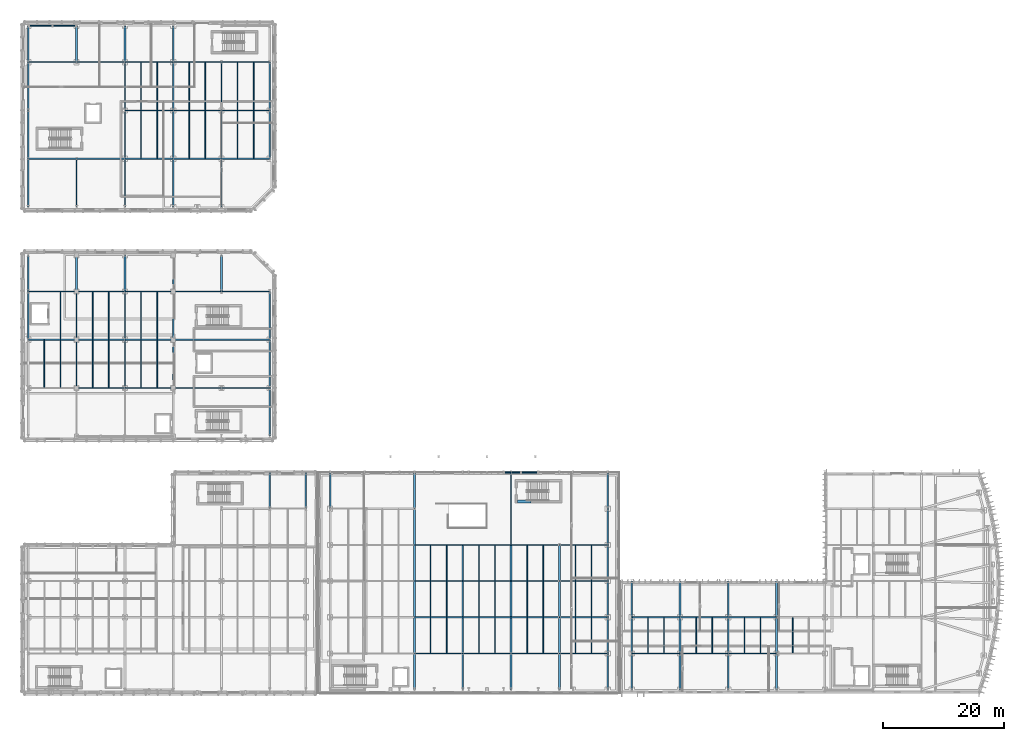
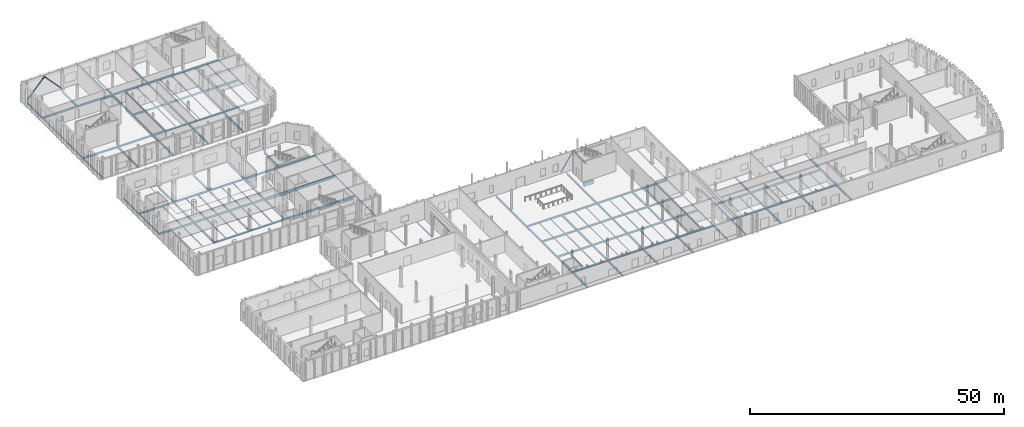
# One storey, part 13 of 60: 177 beams, 4 members.
"""IFC4 building model written with IfcOpenShell, lengths in metres."""

from ifc_helpers import new_model, si_unit, direction, frame, origin, origin_2d, place, context, subcontext, project, spatial, rectangle, hollow_circle, i_section, extrude, material, material_profile, profile_set, type_object, element, save


model = new_model("IFC4")

# Units and contexts
model_context = context("Model", 3, precision=1e-05, world=origin(), true_north=direction((0.0, 1.0)))
body_context = subcontext(model_context, "Body", "Model", "MODEL_VIEW")
ifc_project = project(units=[si_unit("LENGTHUNIT", "METRE"), si_unit("AREAUNIT", "SQUARE_METRE"), si_unit("VOLUMEUNIT", "CUBIC_METRE"), si_unit("PLANEANGLEUNIT", "RADIAN"), si_unit("MASSUNIT", "GRAM", prefix="KILO")], contexts=[model_context])

# Site, building, storey
site_placement = place(None, origin())
site = spatial("IfcSite", under=ifc_project, at=site_placement, CompositionType="ELEMENT")
building_placement = place(site_placement, origin())
building = spatial("IfcBuilding", under=site, at=building_placement, Name="Cymarion Research Institute", CompositionType="ELEMENT")
storey_placement = place(building_placement, origin())
storey = spatial("IfcBuildingStorey", under=building, at=storey_placement, Name="L00", CompositionType="ELEMENT", Elevation=0.0)

# Beams
ifc_material_1 = material(Name="Concrete C40/50", Category="concrete")
ifc_material_profile_1 = material_profile(ifc_material_1, rectangle(XDim=0.5, YDim=0.800048828125, at=origin_2d()), Name="RC 500x800")
ifc_profile_set_1 = profile_set([ifc_material_profile_1], Name="Concrete C40/50")
beam_type_1 = type_object("IfcBeamType", Name="COUPLING LINTEL LN03 RC 500x800", PredefinedType="LINTEL", material=ifc_profile_set_1)
beam_1_placement = place(storey_placement, frame((87.699951171875, 36.64990234375, -0.719970703125), z_axis=(1.0, 0.0, 0.0), x_axis=(0.0, 1.0, 0.0)))
element("IfcBeam", 1, at=beam_1_placement, inside=storey, type_object=beam_type_1, Name="L00 C4 core coupling lintel LN03", PredefinedType="LINTEL", context=body_context, shape_type="SweptSolid", body=[
    extrude(rectangle(XDim=0.5, YDim=0.800048828125, at=origin_2d()), origin(), (0.0, 0.0, 1.0), 2.199951171875),
])
ifc_material_2 = material(Name="Steel S355", Category="steel")
ifc_material_profile_2 = material_profile(ifc_material_2, i_section(OverallWidth=0.199951171875, OverallDepth=0.5, WebThickness=0.01025390625, FlangeThickness=0.01611328125, FilletRadius=0.02099609375, at=origin_2d()), Name="IPE 500")
ifc_profile_set_2 = profile_set([ifc_material_profile_2], Name="Steel S355")
beam_type_2 = type_object("IfcBeamType", Name="PRIMARY GIRDER BM03 IPE 500", PredefinedType="BEAM", material=ifc_profile_set_2)
beam_2_placement = place(storey_placement, frame((86.60009765625, 29.506103515625, -0.550048828125), z_axis=(0.0, 1.0, 0.0), x_axis=(-1.0, 0.0, 0.0)))
element("IfcBeam", 2, at=beam_2_placement, inside=storey, type_object=beam_type_2, Name="L00 V2 girder BM03 #126", PredefinedType="BEAM", context=body_context, shape_type="SweptSolid", body=[
    extrude(i_section(OverallWidth=0.199951171875, OverallDepth=0.5, WebThickness=0.01025390625, FlangeThickness=0.01611328125, FilletRadius=0.02099609375, at=origin_2d()), origin(), (0.0, 0.0, 1.0), 11.98779296875),
])
for number, where, z_axis, x_axis, name in (
    (3, (14.60009765625, 55.506103515625, -0.550048828125), (0.0, 1.0, 0.0), (-1.0, 0.0, 0.0), "L00 V4 girder BM03 #277"),
    (4, (14.60009765625, 63.506103515625, -0.550048828125), (0.0, 1.0, 0.0), (-1.0, 0.0, 0.0), "L00 V4 girder BM03 #278"),
    (5, (22.60009765625, 55.506103515625, -0.550048828125), (0.0, 1.0, 0.0), (-1.0, 0.0, 0.0), "L00 V4 girder BM03 #281"),
    (6, (22.60009765625, 63.506103515625, -0.550048828125), (0.0, 1.0, 0.0), (-1.0, 0.0, 0.0), "L00 V4 girder BM03 #282"),
    (7, (30.60009765625, 55.506103515625, -0.550048828125), (0.0, 1.0, 0.0), (-1.0, 0.0, 0.0), "L00 V4 girder BM03 #285"),
    (8, (30.60009765625, 63.506103515625, -0.550048828125), (0.0, 1.0, 0.0), (-1.0, 0.0, 0.0), "L00 V4 girder BM03 #286"),
    (9, (14.60009765625, 85.506103515625, -0.550048828125), (0.0, 1.0, 0.0), (-1.0, 0.0, 0.0), "L00 V5 girder BM03 #320"),
    (10, (22.60009765625, 85.506103515625, -0.550048828125), (0.0, 1.0, 0.0), (-1.0, 0.0, 0.0), "L00 V5 girder BM03 #322"),
    (11, (22.60009765625, 93.506103515625, -0.550048828125), (0.0, 1.0, 0.0), (-1.0, 0.0, 0.0), "L00 V5 girder BM03 #323"),
    (12, (22.60009765625, 101.506103515625, -0.550048828125), (0.0, 1.0, 0.0), (-1.0, 0.0, 0.0), "L00 V5 girder BM03 #324"),
    (13, (30.60009765625, 85.506103515625, -0.550048828125), (0.0, 1.0, 0.0), (-1.0, 0.0, 0.0), "L00 V5 girder BM03 #326"),
    (14, (30.60009765625, 93.506103515625, -0.550048828125), (0.0, 1.0, 0.0), (-1.0, 0.0, 0.0), "L00 V5 girder BM03 #327"),
    (15, (30.60009765625, 101.506103515625, -0.550048828125), (0.0, 1.0, 0.0), (-1.0, 0.0, 0.0), "L00 V5 girder BM03 #328"),
    (16, (38.60009765625, 85.506103515625, -0.550048828125), (0.0, 1.0, 0.0), (-1.0, 0.0, 0.0), "L00 V5 girder BM03 #330"),
    (17, (38.60009765625, 93.506103515625, -0.550048828125), (0.0, 1.0, 0.0), (-1.0, 0.0, 0.0), "L00 V5 girder BM03 #331"),
    (18, (38.60009765625, 101.506103515625, -0.550048828125), (0.0, 1.0, 0.0), (-1.0, 0.0, 0.0), "L00 V5 girder BM03 #332"),
):
    element("IfcBeam", number, at=place(storey_placement, frame(where, z_axis=z_axis, x_axis=x_axis)), inside=storey, type_object=beam_type_2, Name=name, PredefinedType="BEAM", context=body_context, shape_type="SweptSolid", body=[
        extrude(i_section(OverallWidth=0.199951171875, OverallDepth=0.5, WebThickness=0.01025390625, FlangeThickness=0.01611328125, FilletRadius=0.02099609375, at=origin_2d()), origin(), (0.0, 0.0, 1.0), 7.98779296875),
    ])
ifc_material_profile_3 = material_profile(ifc_material_2, i_section(OverallWidth=0.18994140625, OverallDepth=0.449951171875, WebThickness=0.009521484375, FlangeThickness=0.0146484375, FilletRadius=0.02099609375, at=origin_2d()), Name="IPE 450")
ifc_profile_set_3 = profile_set([ifc_material_profile_3], Name="Steel S355")
beam_type_3 = type_object("IfcBeamType", Name="PRIMARY GIRDER BM04 IPE 450", PredefinedType="BEAM", material=ifc_profile_set_3)
for number, where, z_axis, x_axis, name in (
    (19, (106.60595703125, 11.5, -0.52490234375), (1.0, 0.0, 0.0), (0.0, 1.0, 0.0), "L00 V1 girder BM04 #1"),
    (20, (114.60595703125, 11.5, -0.52490234375), (1.0, 0.0, 0.0), (0.0, 1.0, 0.0), "L00 V1 girder BM04 #2"),
    (21, (122.60595703125, 11.5, -0.52490234375), (1.0, 0.0, 0.0), (0.0, 1.0, 0.0), "L00 V1 girder BM04 #3"),
    (22, (106.60595703125, 17.5, -0.52490234375), (1.0, 0.0, 0.0), (0.0, 1.0, 0.0), "L00 V1 girder BM04 #5"),
    (23, (114.60595703125, 17.5, -0.52490234375), (1.0, 0.0, 0.0), (0.0, 1.0, 0.0), "L00 V1 girder BM04 #6"),
    (24, (122.60595703125, 17.5, -0.52490234375), (1.0, 0.0, 0.0), (0.0, 1.0, 0.0), "L00 V1 girder BM04 #7"),
    (25, (70.60595703125, 11.5, -0.52490234375), (1.0, 0.0, 0.0), (0.0, 1.0, 0.0), "L00 V2 girder BM04 #78"),
    (26, (78.60595703125, 11.5, -0.52490234375), (1.0, 0.0, 0.0), (0.0, 1.0, 0.0), "L00 V2 girder BM04 #79"),
    (27, (86.60595703125, 11.5, -0.52490234375), (1.0, 0.0, 0.0), (0.0, 1.0, 0.0), "L00 V2 girder BM04 #80"),
    (28, (94.60595703125, 11.5, -0.52490234375), (1.0, 0.0, 0.0), (0.0, 1.0, 0.0), "L00 V2 girder BM04 #81"),
    (29, (70.60595703125, 17.5, -0.52490234375), (1.0, 0.0, 0.0), (0.0, 1.0, 0.0), "L00 V2 girder BM04 #84"),
    (30, (78.60595703125, 17.5, -0.52490234375), (1.0, 0.0, 0.0), (0.0, 1.0, 0.0), "L00 V2 girder BM04 #85"),
    (31, (86.60595703125, 17.5, -0.52490234375), (1.0, 0.0, 0.0), (0.0, 1.0, 0.0), "L00 V2 girder BM04 #86"),
    (32, (94.60595703125, 17.5, -0.52490234375), (1.0, 0.0, 0.0), (0.0, 1.0, 0.0), "L00 V2 girder BM04 #87"),
    (33, (70.60595703125, 23.5, -0.52490234375), (1.0, 0.0, 0.0), (0.0, 1.0, 0.0), "L00 V2 girder BM04 #90"),
    (34, (78.60595703125, 23.5, -0.52490234375), (1.0, 0.0, 0.0), (0.0, 1.0, 0.0), "L00 V2 girder BM04 #91"),
    (35, (86.60595703125, 23.5, -0.52490234375), (1.0, 0.0, 0.0), (0.0, 1.0, 0.0), "L00 V2 girder BM04 #92"),
    (36, (94.60595703125, 23.5, -0.52490234375), (1.0, 0.0, 0.0), (0.0, 1.0, 0.0), "L00 V2 girder BM04 #93"),
    (37, (70.60595703125, 29.5, -0.52490234375), (1.0, 0.0, 0.0), (0.0, 1.0, 0.0), "L00 V2 girder BM04 #96"),
    (38, (78.60595703125, 29.5, -0.52490234375), (1.0, 0.0, 0.0), (0.0, 1.0, 0.0), "L00 V2 girder BM04 #97"),
    (39, (86.60595703125, 29.5, -0.52490234375), (1.0, 0.0, 0.0), (0.0, 1.0, 0.0), "L00 V2 girder BM04 #98"),
    (40, (94.60595703125, 29.5, -0.52490234375), (1.0, 0.0, 0.0), (0.0, 1.0, 0.0), "L00 V2 girder BM04 #99"),
    (41, (14.60595703125, 55.5, -0.52490234375), (1.0, 0.0, 0.0), (0.0, 1.0, 0.0), "L00 V4 girder BM04 #259"),
    (42, (22.60595703125, 55.5, -0.52490234375), (1.0, 0.0, 0.0), (0.0, 1.0, 0.0), "L00 V4 girder BM04 #260"),
    (43, (30.60595703125, 55.5, -0.52490234375), (1.0, 0.0, 0.0), (0.0, 1.0, 0.0), "L00 V4 girder BM04 #261"),
    (44, (38.60595703125, 55.5, -0.52490234375), (1.0, 0.0, 0.0), (0.0, 1.0, 0.0), "L00 V4 girder BM04 #262"),
    (45, (6.60595703125, 63.5, -0.52490234375), (1.0, 0.0, 0.0), (0.0, 1.0, 0.0), "L00 V4 girder BM04 #263"),
    (46, (14.60595703125, 63.5, -0.52490234375), (1.0, 0.0, 0.0), (0.0, 1.0, 0.0), "L00 V4 girder BM04 #264"),
    (47, (22.60595703125, 63.5, -0.52490234375), (1.0, 0.0, 0.0), (0.0, 1.0, 0.0), "L00 V4 girder BM04 #265"),
    (48, (6.60595703125, 71.5, -0.52490234375), (1.0, 0.0, 0.0), (0.0, 1.0, 0.0), "L00 V4 girder BM04 #267"),
    (49, (14.60595703125, 71.5, -0.52490234375), (1.0, 0.0, 0.0), (0.0, 1.0, 0.0), "L00 V4 girder BM04 #268"),
    (50, (22.60595703125, 71.5, -0.52490234375), (1.0, 0.0, 0.0), (0.0, 1.0, 0.0), "L00 V4 girder BM04 #269"),
    (51, (30.60595703125, 71.5, -0.52490234375), (1.0, 0.0, 0.0), (0.0, 1.0, 0.0), "L00 V4 girder BM04 #270"),
    (52, (38.60595703125, 71.5, -0.52490234375), (1.0, 0.0, 0.0), (0.0, 1.0, 0.0), "L00 V4 girder BM04 #271"),
    (53, (6.60595703125, 93.5, -0.52490234375), (1.0, 0.0, 0.0), (0.0, 1.0, 0.0), "L00 V5 girder BM04 #303"),
    (54, (14.60595703125, 93.5, -0.52490234375), (1.0, 0.0, 0.0), (0.0, 1.0, 0.0), "L00 V5 girder BM04 #304"),
    (55, (22.60595703125, 93.5, -0.52490234375), (1.0, 0.0, 0.0), (0.0, 1.0, 0.0), "L00 V5 girder BM04 #305"),
    (56, (30.60595703125, 93.5, -0.52490234375), (1.0, 0.0, 0.0), (0.0, 1.0, 0.0), "L00 V5 girder BM04 #306"),
    (57, (38.60595703125, 93.5, -0.52490234375), (1.0, 0.0, 0.0), (0.0, 1.0, 0.0), "L00 V5 girder BM04 #307"),
    (58, (22.60595703125, 101.5, -0.52490234375), (1.0, 0.0, 0.0), (0.0, 1.0, 0.0), "L00 V5 girder BM04 #308"),
    (59, (30.60595703125, 101.5, -0.52490234375), (1.0, 0.0, 0.0), (0.0, 1.0, 0.0), "L00 V5 girder BM04 #309"),
    (60, (38.60595703125, 101.5, -0.52490234375), (1.0, 0.0, 0.0), (0.0, 1.0, 0.0), "L00 V5 girder BM04 #310"),
    (61, (6.60595703125, 109.5, -0.52490234375), (1.0, 0.0, 0.0), (0.0, 1.0, 0.0), "L00 V5 girder BM04 #311"),
    (62, (14.60595703125, 109.5, -0.52490234375), (1.0, 0.0, 0.0), (0.0, 1.0, 0.0), "L00 V5 girder BM04 #312"),
    (63, (22.60595703125, 109.5, -0.52490234375), (1.0, 0.0, 0.0), (0.0, 1.0, 0.0), "L00 V5 girder BM04 #313"),
    (64, (30.60595703125, 109.5, -0.52490234375), (1.0, 0.0, 0.0), (0.0, 1.0, 0.0), "L00 V5 girder BM04 #314"),
    (65, (38.60595703125, 109.5, -0.52490234375), (1.0, 0.0, 0.0), (0.0, 1.0, 0.0), "L00 V5 girder BM04 #315"),
):
    element("IfcBeam", number, at=place(storey_placement, frame(where, z_axis=z_axis, x_axis=x_axis)), inside=storey, type_object=beam_type_3, Name=name, PredefinedType="BEAM", context=body_context, shape_type="SweptSolid", body=[
        extrude(i_section(OverallWidth=0.18994140625, OverallDepth=0.449951171875, WebThickness=0.009521484375, FlangeThickness=0.0146484375, FilletRadius=0.02099609375, at=origin_2d()), origin(), (0.0, 0.0, 1.0), 7.988037109375),
    ])
ifc_material_profile_4 = material_profile(ifc_material_2, i_section(OverallWidth=0.300048828125, OverallDepth=0.64990234375, WebThickness=0.01611328125, FlangeThickness=0.031005859375, FilletRadius=0.027099609375, at=origin_2d()), Name="HEB 650")
ifc_profile_set_4 = profile_set([ifc_material_profile_4], Name="Steel S355")
beam_type_4 = type_object("IfcBeamType", Name="PRIMARY GIRDER BM07 HEB 650", PredefinedType="BEAM", material=ifc_profile_set_4)
beam_3_placement = place(storey_placement, frame((30.60595703125, 63.5, -0.625), z_axis=(1.0, 0.0, 0.0), x_axis=(0.0, 1.0, 0.0)))
element("IfcBeam", 66, at=beam_3_placement, inside=storey, type_object=beam_type_4, Name="L00 V4 girder BM07 #266", PredefinedType="BEAM", context=body_context, shape_type="SweptSolid", body=[
    extrude(i_section(OverallWidth=0.300048828125, OverallDepth=0.64990234375, WebThickness=0.01611328125, FlangeThickness=0.031005859375, FilletRadius=0.027099609375, at=origin_2d()), origin(), (0.0, 0.0, 1.0), 15.988037109375),
])
ifc_material_profile_5 = material_profile(ifc_material_2, i_section(OverallWidth=0.300048828125, OverallDepth=0.35009765625, WebThickness=0.010009765625, FlangeThickness=0.017578125, FilletRadius=0.027099609375, at=origin_2d()), Name="HEA 360")
ifc_profile_set_5 = profile_set([ifc_material_profile_5], Name="Steel S355")
beam_type_5 = type_object("IfcBeamType", Name="PRIMARY GIRDER BM12 HEA 360", PredefinedType="BEAM", material=ifc_profile_set_5)
for number, where, z_axis, x_axis, name in (
    (67, (114.60009765625, 5.506103515625, -0.47509765625), (0.0, 1.0, 0.0), (-1.0, 0.0, 0.0), "L00 V1 girder BM12 #20"),
    (68, (114.60009765625, 11.506103515625, -0.47509765625), (0.0, 1.0, 0.0), (-1.0, 0.0, 0.0), "L00 V1 girder BM12 #21"),
    (69, (114.60009765625, 17.506103515625, -0.47509765625), (0.0, 1.0, 0.0), (-1.0, 0.0, 0.0), "L00 V1 girder BM12 #22"),
    (70, (122.60009765625, 5.506103515625, -0.47509765625), (0.0, 1.0, 0.0), (-1.0, 0.0, 0.0), "L00 V1 girder BM12 #23"),
    (71, (122.60009765625, 11.506103515625, -0.47509765625), (0.0, 1.0, 0.0), (-1.0, 0.0, 0.0), "L00 V1 girder BM12 #24"),
    (72, (122.60009765625, 17.506103515625, -0.47509765625), (0.0, 1.0, 0.0), (-1.0, 0.0, 0.0), "L00 V1 girder BM12 #25"),
    (73, (130.60009765625, 5.506103515625, -0.47509765625), (0.0, 1.0, 0.0), (-1.0, 0.0, 0.0), "L00 V1 girder BM12 #26"),
    (74, (130.60009765625, 11.506103515625, -0.47509765625), (0.0, 1.0, 0.0), (-1.0, 0.0, 0.0), "L00 V1 girder BM12 #27"),
    (75, (130.60009765625, 17.506103515625, -0.47509765625), (0.0, 1.0, 0.0), (-1.0, 0.0, 0.0), "L00 V1 girder BM12 #28"),
    (76, (70.60009765625, 5.506103515625, -0.47509765625), (0.0, 1.0, 0.0), (-1.0, 0.0, 0.0), "L00 V2 girder BM12 #112"),
    (77, (70.60009765625, 11.506103515625, -0.47509765625), (0.0, 1.0, 0.0), (-1.0, 0.0, 0.0), "L00 V2 girder BM12 #113"),
    (78, (70.60009765625, 17.506103515625, -0.47509765625), (0.0, 1.0, 0.0), (-1.0, 0.0, 0.0), "L00 V2 girder BM12 #114"),
    (79, (70.60009765625, 23.506103515625, -0.47509765625), (0.0, 1.0, 0.0), (-1.0, 0.0, 0.0), "L00 V2 girder BM12 #115"),
    (80, (70.60009765625, 29.506103515625, -0.47509765625), (0.0, 1.0, 0.0), (-1.0, 0.0, 0.0), "L00 V2 girder BM12 #116"),
    (81, (70.60009765625, 35.506103515625, -0.47509765625), (0.0, 1.0, 0.0), (-1.0, 0.0, 0.0), "L00 V2 girder BM12 #117"),
    (82, (78.60009765625, 5.506103515625, -0.47509765625), (0.0, 1.0, 0.0), (-1.0, 0.0, 0.0), "L00 V2 girder BM12 #118"),
    (83, (78.60009765625, 11.506103515625, -0.47509765625), (0.0, 1.0, 0.0), (-1.0, 0.0, 0.0), "L00 V2 girder BM12 #119"),
    (84, (78.60009765625, 17.506103515625, -0.47509765625), (0.0, 1.0, 0.0), (-1.0, 0.0, 0.0), "L00 V2 girder BM12 #120"),
    (85, (78.60009765625, 23.506103515625, -0.47509765625), (0.0, 1.0, 0.0), (-1.0, 0.0, 0.0), "L00 V2 girder BM12 #121"),
    (86, (86.60009765625, 5.506103515625, -0.47509765625), (0.0, 1.0, 0.0), (-1.0, 0.0, 0.0), "L00 V2 girder BM12 #122"),
    (87, (86.60009765625, 11.506103515625, -0.47509765625), (0.0, 1.0, 0.0), (-1.0, 0.0, 0.0), "L00 V2 girder BM12 #123"),
    (88, (86.60009765625, 17.506103515625, -0.47509765625), (0.0, 1.0, 0.0), (-1.0, 0.0, 0.0), "L00 V2 girder BM12 #124"),
    (89, (86.60009765625, 23.506103515625, -0.47509765625), (0.0, 1.0, 0.0), (-1.0, 0.0, 0.0), "L00 V2 girder BM12 #125"),
    (90, (94.60009765625, 5.506103515625, -0.47509765625), (0.0, 1.0, 0.0), (-1.0, 0.0, 0.0), "L00 V2 girder BM12 #127"),
    (91, (94.60009765625, 11.506103515625, -0.47509765625), (0.0, 1.0, 0.0), (-1.0, 0.0, 0.0), "L00 V2 girder BM12 #128"),
    (92, (94.60009765625, 17.506103515625, -0.47509765625), (0.0, 1.0, 0.0), (-1.0, 0.0, 0.0), "L00 V2 girder BM12 #129"),
    (93, (94.60009765625, 23.506103515625, -0.47509765625), (0.0, 1.0, 0.0), (-1.0, 0.0, 0.0), "L00 V2 girder BM12 #130"),
    (94, (14.60009765625, 71.506103515625, -0.47509765625), (0.0, 1.0, 0.0), (-1.0, 0.0, 0.0), "L00 V4 girder BM12 #279"),
    (95, (22.60009765625, 71.506103515625, -0.47509765625), (0.0, 1.0, 0.0), (-1.0, 0.0, 0.0), "L00 V4 girder BM12 #283"),
    (96, (30.60009765625, 71.506103515625, -0.47509765625), (0.0, 1.0, 0.0), (-1.0, 0.0, 0.0), "L00 V4 girder BM12 #287"),
    (97, (38.60009765625, 71.506103515625, -0.47509765625), (0.0, 1.0, 0.0), (-1.0, 0.0, 0.0), "L00 V4 girder BM12 #288"),
    (98, (14.60009765625, 109.506103515625, -0.47509765625), (0.0, 1.0, 0.0), (-1.0, 0.0, 0.0), "L00 V5 girder BM12 #321"),
    (99, (22.60009765625, 109.506103515625, -0.47509765625), (0.0, 1.0, 0.0), (-1.0, 0.0, 0.0), "L00 V5 girder BM12 #325"),
    (100, (30.60009765625, 109.506103515625, -0.47509765625), (0.0, 1.0, 0.0), (-1.0, 0.0, 0.0), "L00 V5 girder BM12 #329"),
):
    element("IfcBeam", number, at=place(storey_placement, frame(where, z_axis=z_axis, x_axis=x_axis)), inside=storey, type_object=beam_type_5, Name=name, PredefinedType="BEAM", context=body_context, shape_type="SweptSolid", body=[
        extrude(i_section(OverallWidth=0.300048828125, OverallDepth=0.35009765625, WebThickness=0.010009765625, FlangeThickness=0.017578125, FilletRadius=0.027099609375, at=origin_2d()), origin(), (0.0, 0.0, 1.0), 5.98779296875),
    ])
ifc_material_profile_6 = material_profile(ifc_material_2, i_section(OverallWidth=0.14990234375, OverallDepth=0.300048828125, WebThickness=0.007080078125, FlangeThickness=0.0107421875, FilletRadius=0.014892578125, at=origin_2d()), Name="IPE 300")
ifc_profile_set_6 = profile_set([ifc_material_profile_6], Name="Steel S355")
beam_type_6 = type_object("IfcBeamType", Name="SECONDARY JOIST JS02 IPE 300", PredefinedType="JOIST", material=ifc_profile_set_6)
for number, where, z_axis, x_axis, name in (
    (101, (9.2666015625, 55.59912109375, -0.449951171875), (0.0, 1.0, 0.0), (-1.0, 0.0, 0.0), "L00 V4 secondary joist JS02 #292"),
    (102, (11.933349609375, 55.59912109375, -0.449951171875), (0.0, 1.0, 0.0), (-1.0, 0.0, 0.0), "L00 V4 secondary joist JS02 #293"),
    (103, (17.2666015625, 55.59912109375, -0.449951171875), (0.0, 1.0, 0.0), (-1.0, 0.0, 0.0), "L00 V4 secondary joist JS02 #294"),
    (104, (19.933349609375, 55.59912109375, -0.449951171875), (0.0, 1.0, 0.0), (-1.0, 0.0, 0.0), "L00 V4 secondary joist JS02 #295"),
    (105, (25.2666015625, 55.59912109375, -0.449951171875), (0.0, 1.0, 0.0), (-1.0, 0.0, 0.0), "L00 V4 secondary joist JS02 #296"),
    (106, (27.933349609375, 55.59912109375, -0.449951171875), (0.0, 1.0, 0.0), (-1.0, 0.0, 0.0), "L00 V4 secondary joist JS02 #297"),
    (107, (11.933349609375, 63.59912109375, -0.449951171875), (0.0, 1.0, 0.0), (-1.0, 0.0, 0.0), "L00 V4 secondary joist JS02 #298"),
    (108, (17.2666015625, 63.59912109375, -0.449951171875), (0.0, 1.0, 0.0), (-1.0, 0.0, 0.0), "L00 V4 secondary joist JS02 #299"),
    (109, (19.933349609375, 63.59912109375, -0.449951171875), (0.0, 1.0, 0.0), (-1.0, 0.0, 0.0), "L00 V4 secondary joist JS02 #300"),
    (110, (25.2666015625, 63.59912109375, -0.449951171875), (0.0, 1.0, 0.0), (-1.0, 0.0, 0.0), "L00 V4 secondary joist JS02 #301"),
    (111, (27.933349609375, 63.59912109375, -0.449951171875), (0.0, 1.0, 0.0), (-1.0, 0.0, 0.0), "L00 V4 secondary joist JS02 #302"),
    (112, (25.2666015625, 93.59912109375, -0.449951171875), (0.0, 1.0, 0.0), (-1.0, 0.0, 0.0), "L00 V5 secondary joist JS02 #336"),
    (113, (27.933349609375, 93.59912109375, -0.449951171875), (0.0, 1.0, 0.0), (-1.0, 0.0, 0.0), "L00 V5 secondary joist JS02 #337"),
    (114, (33.2666015625, 93.59912109375, -0.449951171875), (0.0, 1.0, 0.0), (-1.0, 0.0, 0.0), "L00 V5 secondary joist JS02 #338"),
    (115, (35.933349609375, 93.59912109375, -0.449951171875), (0.0, 1.0, 0.0), (-1.0, 0.0, 0.0), "L00 V5 secondary joist JS02 #339"),
    (116, (41.2666015625, 93.59912109375, -0.449951171875), (0.0, 1.0, 0.0), (-1.0, 0.0, 0.0), "L00 V5 secondary joist JS02 #340"),
    (117, (43.933349609375, 93.59912109375, -0.449951171875), (0.0, 1.0, 0.0), (-1.0, 0.0, 0.0), "L00 V5 secondary joist JS02 #341"),
    (118, (25.2666015625, 101.59912109375, -0.449951171875), (0.0, 1.0, 0.0), (-1.0, 0.0, 0.0), "L00 V5 secondary joist JS02 #342"),
    (119, (27.933349609375, 101.59912109375, -0.449951171875), (0.0, 1.0, 0.0), (-1.0, 0.0, 0.0), "L00 V5 secondary joist JS02 #343"),
    (120, (33.2666015625, 101.59912109375, -0.449951171875), (0.0, 1.0, 0.0), (-1.0, 0.0, 0.0), "L00 V5 secondary joist JS02 #344"),
    (121, (35.933349609375, 101.59912109375, -0.449951171875), (0.0, 1.0, 0.0), (-1.0, 0.0, 0.0), "L00 V5 secondary joist JS02 #345"),
    (122, (41.2666015625, 101.59912109375, -0.449951171875), (0.0, 1.0, 0.0), (-1.0, 0.0, 0.0), "L00 V5 secondary joist JS02 #346"),
    (123, (43.933349609375, 101.59912109375, -0.449951171875), (0.0, 1.0, 0.0), (-1.0, 0.0, 0.0), "L00 V5 secondary joist JS02 #347"),
):
    element("IfcBeam", number, at=place(storey_placement, frame(where, z_axis=z_axis, x_axis=x_axis)), inside=storey, type_object=beam_type_6, Name=name, PredefinedType="JOIST", context=body_context, shape_type="SweptSolid", body=[
        extrude(i_section(OverallWidth=0.14990234375, OverallDepth=0.300048828125, WebThickness=0.007080078125, FlangeThickness=0.0107421875, FilletRadius=0.014892578125, at=origin_2d()), origin(), (0.0, 0.0, 1.0), 7.8017578125),
    ])
ifc_material_profile_7 = material_profile(ifc_material_2, i_section(OverallWidth=0.1201171875, OverallDepth=0.239990234375, WebThickness=0.006103515625, FlangeThickness=0.009765625, FilletRadius=0.014892578125, at=origin_2d()), Name="IPE 240")
ifc_profile_set_7 = profile_set([ifc_material_profile_7], Name="Steel S355")
beam_type_7 = type_object("IfcBeamType", Name="SECONDARY JOIST JS04 IPE 240", PredefinedType="JOIST", material=ifc_profile_set_7)
for number, where, z_axis, x_axis, name in (
    (124, (109.2666015625, 11.59912109375, -0.419921875), (0.0, 1.0, 0.0), (-1.0, 0.0, 0.0), "L00 V1 secondary joist JS04 #59"),
    (125, (111.933349609375, 11.59912109375, -0.419921875), (0.0, 1.0, 0.0), (-1.0, 0.0, 0.0), "L00 V1 secondary joist JS04 #60"),
    (126, (117.2666015625, 11.59912109375, -0.419921875), (0.0, 1.0, 0.0), (-1.0, 0.0, 0.0), "L00 V1 secondary joist JS04 #61"),
    (127, (119.933349609375, 11.59912109375, -0.419921875), (0.0, 1.0, 0.0), (-1.0, 0.0, 0.0), "L00 V1 secondary joist JS04 #62"),
    (128, (125.2666015625, 11.59912109375, -0.419921875), (0.0, 1.0, 0.0), (-1.0, 0.0, 0.0), "L00 V1 secondary joist JS04 #63"),
    (129, (127.933349609375, 11.59912109375, -0.419921875), (0.0, 1.0, 0.0), (-1.0, 0.0, 0.0), "L00 V1 secondary joist JS04 #64"),
    (130, (133.2666015625, 11.59912109375, -0.419921875), (0.0, 1.0, 0.0), (-1.0, 0.0, 0.0), "L00 V1 secondary joist JS04 #65"),
    (131, (73.2666015625, 11.59912109375, -0.419921875), (0.0, 1.0, 0.0), (-1.0, 0.0, 0.0), "L00 V2 secondary joist JS04 #140"),
    (132, (75.933349609375, 11.59912109375, -0.419921875), (0.0, 1.0, 0.0), (-1.0, 0.0, 0.0), "L00 V2 secondary joist JS04 #141"),
    (133, (81.2666015625, 11.59912109375, -0.419921875), (0.0, 1.0, 0.0), (-1.0, 0.0, 0.0), "L00 V2 secondary joist JS04 #142"),
    (134, (83.933349609375, 11.59912109375, -0.419921875), (0.0, 1.0, 0.0), (-1.0, 0.0, 0.0), "L00 V2 secondary joist JS04 #143"),
    (135, (89.2666015625, 11.59912109375, -0.419921875), (0.0, 1.0, 0.0), (-1.0, 0.0, 0.0), "L00 V2 secondary joist JS04 #144"),
    (136, (91.933349609375, 11.59912109375, -0.419921875), (0.0, 1.0, 0.0), (-1.0, 0.0, 0.0), "L00 V2 secondary joist JS04 #145"),
    (137, (97.2666015625, 11.59912109375, -0.419921875), (0.0, 1.0, 0.0), (-1.0, 0.0, 0.0), "L00 V2 secondary joist JS04 #146"),
    (138, (99.933349609375, 11.59912109375, -0.419921875), (0.0, 1.0, 0.0), (-1.0, 0.0, 0.0), "L00 V2 secondary joist JS04 #147"),
    (139, (73.2666015625, 17.59912109375, -0.419921875), (0.0, 1.0, 0.0), (-1.0, 0.0, 0.0), "L00 V2 secondary joist JS04 #151"),
    (140, (75.933349609375, 17.59912109375, -0.419921875), (0.0, 1.0, 0.0), (-1.0, 0.0, 0.0), "L00 V2 secondary joist JS04 #152"),
    (141, (81.2666015625, 17.59912109375, -0.419921875), (0.0, 1.0, 0.0), (-1.0, 0.0, 0.0), "L00 V2 secondary joist JS04 #153"),
    (142, (83.933349609375, 17.59912109375, -0.419921875), (0.0, 1.0, 0.0), (-1.0, 0.0, 0.0), "L00 V2 secondary joist JS04 #154"),
    (143, (89.2666015625, 17.59912109375, -0.419921875), (0.0, 1.0, 0.0), (-1.0, 0.0, 0.0), "L00 V2 secondary joist JS04 #155"),
    (144, (91.933349609375, 17.59912109375, -0.419921875), (0.0, 1.0, 0.0), (-1.0, 0.0, 0.0), "L00 V2 secondary joist JS04 #156"),
    (145, (97.2666015625, 17.59912109375, -0.419921875), (0.0, 1.0, 0.0), (-1.0, 0.0, 0.0), "L00 V2 secondary joist JS04 #157"),
    (146, (99.933349609375, 17.59912109375, -0.419921875), (0.0, 1.0, 0.0), (-1.0, 0.0, 0.0), "L00 V2 secondary joist JS04 #158"),
    (147, (73.2666015625, 23.59912109375, -0.419921875), (0.0, 1.0, 0.0), (-1.0, 0.0, 0.0), "L00 V2 secondary joist JS04 #162"),
    (148, (75.933349609375, 23.59912109375, -0.419921875), (0.0, 1.0, 0.0), (-1.0, 0.0, 0.0), "L00 V2 secondary joist JS04 #163"),
    (149, (81.2666015625, 23.59912109375, -0.419921875), (0.0, 1.0, 0.0), (-1.0, 0.0, 0.0), "L00 V2 secondary joist JS04 #164"),
    (150, (83.933349609375, 23.59912109375, -0.419921875), (0.0, 1.0, 0.0), (-1.0, 0.0, 0.0), "L00 V2 secondary joist JS04 #165"),
    (151, (89.2666015625, 23.59912109375, -0.419921875), (0.0, 1.0, 0.0), (-1.0, 0.0, 0.0), "L00 V2 secondary joist JS04 #166"),
    (152, (91.933349609375, 23.59912109375, -0.419921875), (0.0, 1.0, 0.0), (-1.0, 0.0, 0.0), "L00 V2 secondary joist JS04 #167"),
    (153, (97.2666015625, 23.59912109375, -0.419921875), (0.0, 1.0, 0.0), (-1.0, 0.0, 0.0), "L00 V2 secondary joist JS04 #168"),
    (154, (99.933349609375, 23.59912109375, -0.419921875), (0.0, 1.0, 0.0), (-1.0, 0.0, 0.0), "L00 V2 secondary joist JS04 #169"),
):
    element("IfcBeam", number, at=place(storey_placement, frame(where, z_axis=z_axis, x_axis=x_axis)), inside=storey, type_object=beam_type_7, Name=name, PredefinedType="JOIST", context=body_context, shape_type="SweptSolid", body=[
        extrude(i_section(OverallWidth=0.1201171875, OverallDepth=0.239990234375, WebThickness=0.006103515625, FlangeThickness=0.009765625, FilletRadius=0.014892578125, at=origin_2d()), origin(), (0.0, 0.0, 1.0), 5.8017578125),
    ])
ifc_material_profile_8 = material_profile(ifc_material_2, i_section(OverallWidth=0.239990234375, OverallDepth=0.22998046875, WebThickness=0.007568359375, FlangeThickness=0.011962890625, FilletRadius=0.02099609375, at=origin_2d()), Name="HEA 240")
ifc_profile_set_8 = profile_set([ifc_material_profile_8], Name="Steel S355")
beam_type_8 = type_object("IfcBeamType", Name="SPANDREL BEAM SPB03 HEA 240", PredefinedType="SPANDREL", material=ifc_profile_set_8)
for number, where, z_axis, x_axis, name in (
    (155, (106.60009765625, 5.506103515625, -0.4150390625), (0.0, 1.0, 0.0), (-1.0, 0.0, 0.0), "L00 V1 girder SPB03 #17"),
    (156, (106.60009765625, 11.506103515625, -0.4150390625), (0.0, 1.0, 0.0), (-1.0, 0.0, 0.0), "L00 V1 girder SPB03 #18"),
    (157, (106.60009765625, 17.506103515625, -0.4150390625), (0.0, 1.0, 0.0), (-1.0, 0.0, 0.0), "L00 V1 girder SPB03 #19"),
    (158, (56.60009765625, 35.506103515625, -0.4150390625), (0.0, 1.0, 0.0), (-1.0, 0.0, 0.0), "L00 V2 girder SPB03 #107"),
    (159, (102.60009765625, 5.506103515625, -0.4150390625), (0.0, 1.0, 0.0), (-1.0, 0.0, 0.0), "L00 V2 girder SPB03 #131"),
    (160, (102.60009765625, 11.506103515625, -0.4150390625), (0.0, 1.0, 0.0), (-1.0, 0.0, 0.0), "L00 V2 girder SPB03 #132"),
    (161, (102.60009765625, 17.506103515625, -0.4150390625), (0.0, 1.0, 0.0), (-1.0, 0.0, 0.0), "L00 V2 girder SPB03 #133"),
    (162, (102.60009765625, 23.506103515625, -0.4150390625), (0.0, 1.0, 0.0), (-1.0, 0.0, 0.0), "L00 V2 girder SPB03 #134"),
    (163, (102.60009765625, 29.506103515625, -0.4150390625), (0.0, 1.0, 0.0), (-1.0, 0.0, 0.0), "L00 V2 girder SPB03 #135"),
    (164, (102.60009765625, 35.506103515625, -0.4150390625), (0.0, 1.0, 0.0), (-1.0, 0.0, 0.0), "L00 V2 girder SPB03 #136"),
    (165, (46.60009765625, 35.506103515625, -0.4150390625), (0.0, 1.0, 0.0), (-1.0, 0.0, 0.0), "L00 V3 girder SPB03 #221"),
    (166, (52.60009765625, 35.506103515625, -0.4150390625), (0.0, 1.0, 0.0), (-1.0, 0.0, 0.0), "L00 V3 girder SPB03 #227"),
    (167, (6.60009765625, 71.506103515625, -0.4150390625), (0.0, 1.0, 0.0), (-1.0, 0.0, 0.0), "L00 V4 girder SPB03 #275"),
    (168, (6.60009765625, 109.506103515625, -0.4150390625), (0.0, 1.0, 0.0), (-1.0, 0.0, 0.0), "L00 V5 girder SPB03 #319"),
):
    element("IfcBeam", number, at=place(storey_placement, frame(where, z_axis=z_axis, x_axis=x_axis)), inside=storey, type_object=beam_type_8, Name=name, PredefinedType="SPANDREL", context=body_context, shape_type="SweptSolid", body=[
        extrude(i_section(OverallWidth=0.239990234375, OverallDepth=0.22998046875, WebThickness=0.007568359375, FlangeThickness=0.011962890625, FilletRadius=0.02099609375, at=origin_2d()), origin(), (0.0, 0.0, 1.0), 5.98779296875),
    ])
ifc_material_profile_9 = material_profile(ifc_material_2, i_section(OverallWidth=0.199951171875, OverallDepth=0.18994140625, WebThickness=0.006591796875, FlangeThickness=0.010009765625, FilletRadius=0.01806640625, at=origin_2d()), Name="HEA 200")
ifc_profile_set_9 = profile_set([ifc_material_profile_9], Name="Steel S355")
beam_type_9 = type_object("IfcBeamType", Name="SPANDREL BEAM SPB04 HEA 200", PredefinedType="SPANDREL", material=ifc_profile_set_9)
for number, where, z_axis, x_axis, name in (
    (169, (6.60009765625, 63.506103515625, -0.39501953125), (0.0, 1.0, 0.0), (-1.0, 0.0, 0.0), "L00 V4 girder SPB04 #274"),
    (170, (46.60009765625, 47.506103515625, -0.39501953125), (0.0, 1.0, 0.0), (-1.0, 0.0, 0.0), "L00 V4 girder SPB04 #289"),
    (171, (46.60009765625, 55.506103515625, -0.39501953125), (0.0, 1.0, 0.0), (-1.0, 0.0, 0.0), "L00 V4 girder SPB04 #290"),
    (172, (46.60009765625, 63.506103515625, -0.39501953125), (0.0, 1.0, 0.0), (-1.0, 0.0, 0.0), "L00 V4 girder SPB04 #291"),
    (173, (6.60009765625, 85.506103515625, -0.39501953125), (0.0, 1.0, 0.0), (-1.0, 0.0, 0.0), "L00 V5 girder SPB04 #316"),
    (174, (6.60009765625, 93.506103515625, -0.39501953125), (0.0, 1.0, 0.0), (-1.0, 0.0, 0.0), "L00 V5 girder SPB04 #317"),
    (175, (6.60009765625, 101.506103515625, -0.39501953125), (0.0, 1.0, 0.0), (-1.0, 0.0, 0.0), "L00 V5 girder SPB04 #318"),
    (176, (46.60009765625, 93.506103515625, -0.39501953125), (0.0, 1.0, 0.0), (-1.0, 0.0, 0.0), "L00 V5 girder SPB04 #333"),
    (177, (46.60009765625, 101.506103515625, -0.39501953125), (0.0, 1.0, 0.0), (-1.0, 0.0, 0.0), "L00 V5 girder SPB04 #334"),
):
    element("IfcBeam", number, at=place(storey_placement, frame(where, z_axis=z_axis, x_axis=x_axis)), inside=storey, type_object=beam_type_9, Name=name, PredefinedType="SPANDREL", context=body_context, shape_type="SweptSolid", body=[
        extrude(i_section(OverallWidth=0.199951171875, OverallDepth=0.18994140625, WebThickness=0.006591796875, FlangeThickness=0.010009765625, FilletRadius=0.01806640625, at=origin_2d()), origin(), (0.0, 0.0, 1.0), 7.98779296875),
    ])

# Members
ifc_material_profile_10 = material_profile(ifc_material_2, hollow_circle(Radius=0.122314453125, WallThickness=0.012451171875, at=origin_2d()), Name="CHS 244.5x12.5")
ifc_profile_set_10 = profile_set([ifc_material_profile_10], Name="Steel S355")
member_type_1 = type_object("IfcMemberType", Name="STRUCTURAL MEMBER BR03 CHS 244.5x12.5", PredefinedType="BRACE", material=ifc_profile_set_10)
for number, where, z_axis, x_axis, name in (
    (178, (6.613525390625, 115.5, 0.1201171875), (0.68011656358, 0.0, 0.733103989857), (0.0, 1.0, 0.0), "L00 V5 seismic chevron brace BR03 #1"),
    (179, (14.58642578125, 115.5, 0.1201171875), (-0.68011656358, 0.0, 0.733103989857), (0.0, -1.0, 0.0), "L00 V5 seismic chevron brace BR03 #2"),
):
    element("IfcMember", number, at=place(storey_placement, frame(where, z_axis=z_axis, x_axis=x_axis)), inside=storey, type_object=member_type_1, Name=name, PredefinedType="BRACE", context=body_context, shape_type="SweptSolid", body=[
        extrude(hollow_circle(Radius=0.122314453125, WallThickness=0.012451171875, at=origin_2d()), origin(), (0.0, 0.0, 1.0), 5.8515625),
    ])
ifc_material_profile_11 = material_profile(ifc_material_2, hollow_circle(Radius=0.136474609375, WallThickness=0.012451171875, at=origin_2d()), Name="CHS 273.0x12.5")
ifc_profile_set_11 = profile_set([ifc_material_profile_11], Name="Steel S355")
member_type_2 = type_object("IfcMemberType", Name="STRUCTURAL MEMBER BR04 CHS 273.0x12.5", PredefinedType="BRACE", material=ifc_profile_set_11)
for number, where, z_axis, x_axis, name in (
    (180, (85.361083984375, 41.5, 0.1201171875), (0.554503450107, 0.0, 0.832181424823), (0.0, 1.0, 0.0), "L00 V2 seismic chevron brace BR04 #1"),
    (181, (91.0888671875, 41.5, 0.1201171875), (-0.554470650043, 0.0, 0.832203279398), (0.0, -1.0, 0.0), "L00 V2 seismic chevron brace BR04 #2"),
):
    element("IfcMember", number, at=place(storey_placement, frame(where, z_axis=z_axis, x_axis=x_axis)), inside=storey, type_object=member_type_2, Name=name, PredefinedType="BRACE", context=body_context, shape_type="SweptSolid", body=[
        extrude(hollow_circle(Radius=0.136474609375, WallThickness=0.012451171875, at=origin_2d()), origin(), (0.0, 0.0, 1.0), 5.15478515625),
    ])

save(model, "model.ifc")
